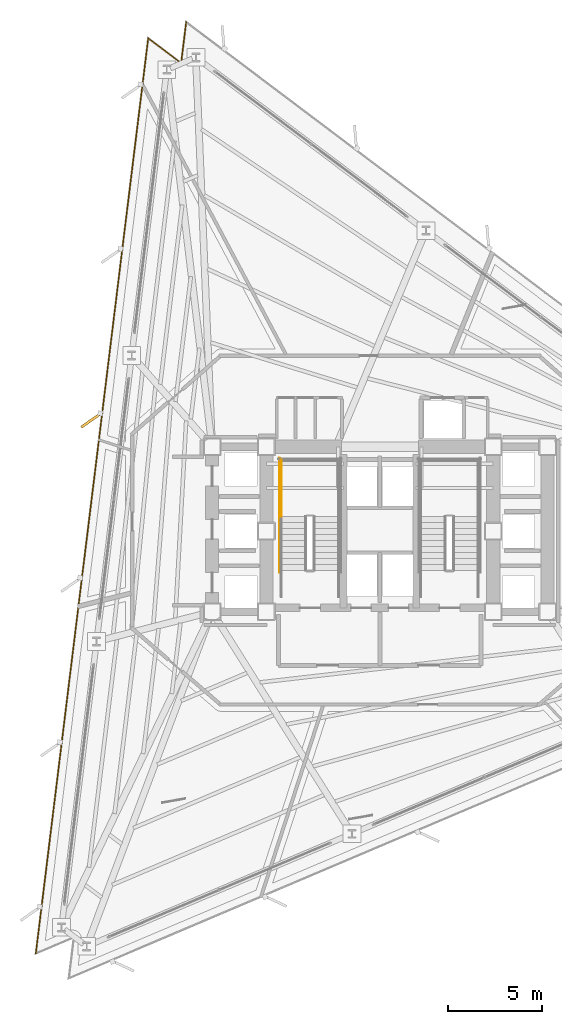
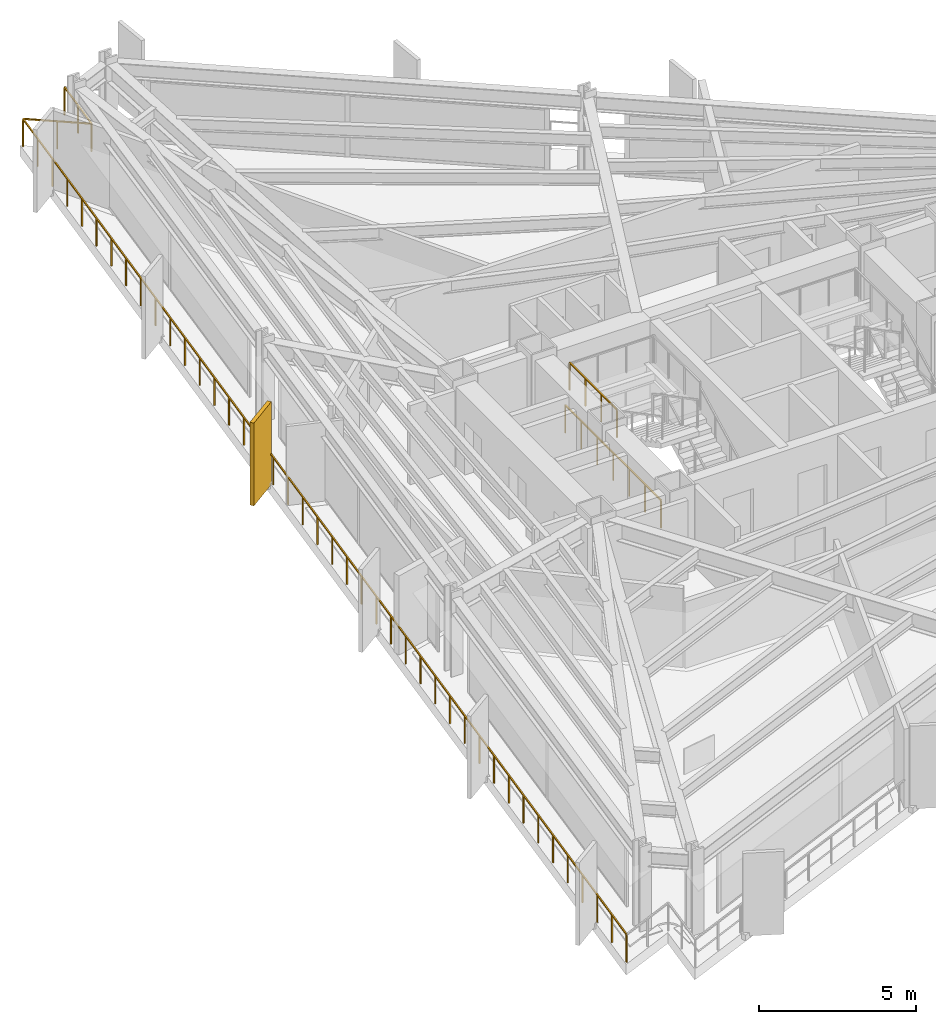
# One storey, part 11 of 13: 3 railings, 1 shading device.
"""IFC4 building model written with IfcOpenShell, lengths in metres."""

from ifc_helpers import new_model, si_unit, direction, frame, origin, origin_2d, place, context, subcontext, project, spatial, rectangle, extrude, material, layer, layer_set, type_object, element, save


model = new_model("IFC4")

# Units and contexts
model_context = context("Model", 3, precision=1e-05, world=origin(), true_north=direction((0.0, 1.0)))
body_context = subcontext(model_context, "Body", "Model", "MODEL_VIEW")
ifc_project = project(units=[si_unit("LENGTHUNIT", "METRE"), si_unit("AREAUNIT", "SQUARE_METRE"), si_unit("VOLUMEUNIT", "CUBIC_METRE"), si_unit("PLANEANGLEUNIT", "RADIAN"), si_unit("MASSUNIT", "GRAM", prefix="KILO")], contexts=[model_context])

# Site, building, storey
site_placement = place(None, origin())
site = spatial("IfcSite", under=ifc_project, at=site_placement, CompositionType="ELEMENT")
building_placement = place(site_placement, origin())
building = spatial("IfcBuilding", under=site, at=building_placement, Name="Rocaltana Carrier Exchange", CompositionType="ELEMENT")
storey_placement = place(building_placement, frame((0.0, 0.0, 49.60009765625)))
storey = spatial("IfcBuildingStorey", under=building, at=storey_placement, Name="L15", CompositionType="ELEMENT", Elevation=49.60009765625)

# Railings
ifc_material_1 = material(Name="Powder-Coated Aluminium 6063-T6", Category="aluminium")
ifc_layer_1 = layer(ifc_material_1, 0.048095703125)
ifc_layer_set_1 = layer_set([ifc_layer_1], Name="Powder-Coated Aluminium 6063-T6")
railing_type_1 = type_object("IfcRailingType", Name="Stair Well Guardrail 1100", PredefinedType="GUARDRAIL", material=ifc_layer_set_1)
railing_1_placement = place(storey_placement, frame((-5.25, 0.780029296875, 1.679931640625)))
element("IfcRailing", 1, at=railing_1_placement, inside=storey, type_object=railing_type_1, Name="L15 ST-1 stair guard 4", PredefinedType="GUARDRAIL", context=body_context, shape_type="SweptSolid", body=[
    extrude(rectangle(XDim=0.048095703125, YDim=0.048095703125, at=origin_2d()), frame((0.0, 0.0, 1.076171875), z_axis=(0.0, 1.0, 0.0), x_axis=(-1.0, 0.0, 0.0)), (0.0, 0.0, 1.0), 3.02001953125),
    extrude(rectangle(XDim=0.0419921875, YDim=0.0419921875, at=origin_2d()), origin(), (0.0, 0.0, 1.0), 1.052001953125),
    extrude(rectangle(XDim=0.0419921875, YDim=0.0419921875, at=origin_2d()), frame((0.0, 1.006591796875, 0.0)), (0.0, 0.0, 1.0), 1.052001953125),
    extrude(rectangle(XDim=0.0419921875, YDim=0.0419921875, at=origin_2d()), frame((0.0, 2.013427734375, 0.0)), (0.0, 0.0, 1.0), 1.052001953125),
    extrude(rectangle(XDim=0.0419921875, YDim=0.0419921875, at=origin_2d()), frame((0.0, 3.02001953125, 0.0)), (0.0, 0.0, 1.0), 1.052001953125),
])
railing_2_placement = place(storey_placement, frame((-5.35009765625, -2.199951171875, 0.0)))
element("IfcRailing", 2, at=railing_2_placement, inside=storey, type_object=railing_type_1, Name="L15 ST-1 stair guard 11", PredefinedType="GUARDRAIL", context=body_context, shape_type="SweptSolid", body=[
    extrude(rectangle(XDim=0.048095703125, YDim=0.048095703125, at=origin_2d()), frame((0.0, 0.0, 1.076171875), z_axis=(0.0, 1.0, 0.0), x_axis=(-1.0, 0.0, 0.0)), (0.0, 0.0, 1.0), 6.099853515625),
    extrude(rectangle(XDim=0.0419921875, YDim=0.0419921875, at=origin_2d()), origin(), (0.0, 0.0, 1.0), 1.052001953125),
    extrude(rectangle(XDim=0.0419921875, YDim=0.0419921875, at=origin_2d()), frame((0.0, 1.0166015625, 0.0)), (0.0, 0.0, 1.0), 1.052001953125),
    extrude(rectangle(XDim=0.0419921875, YDim=0.0419921875, at=origin_2d()), frame((0.0, 2.033203125, 0.0)), (0.0, 0.0, 1.0), 1.052001953125),
    extrude(rectangle(XDim=0.0419921875, YDim=0.0419921875, at=origin_2d()), frame((0.0, 3.0498046875, 0.0)), (0.0, 0.0, 1.0), 1.052001953125),
    extrude(rectangle(XDim=0.0419921875, YDim=0.0419921875, at=origin_2d()), frame((0.0, 4.066650390625, 0.0)), (0.0, 0.0, 1.0), 1.052001953125),
    extrude(rectangle(XDim=0.0419921875, YDim=0.0419921875, at=origin_2d()), frame((0.0, 5.083251953125, 0.0)), (0.0, 0.0, 1.0), 1.052001953125),
    extrude(rectangle(XDim=0.0419921875, YDim=0.0419921875, at=origin_2d()), frame((0.0, 6.099853515625, 0.0)), (0.0, 0.0, 1.0), 1.052001953125),
])

# Shading device
ifc_material_2 = material(Name="Honed Bogota Sandstone & Concrete C45/55", Category="masonry")
ifc_layer_2 = layer(ifc_material_2, 0.139892578125)
ifc_layer_set_2 = layer_set([ifc_layer_2], Name="Honed Bogota Sandstone & Concrete C45/55")
shading_device_type = type_object("IfcShadingDeviceType", Name="Vertical Sandstone Shading Fin 1320x140", PredefinedType="USERDEFINED", material=ifc_layer_set_2)
shading_device_placement = place(storey_placement, frame((-15.38427734375, 5.92431640625, -0.1201171875), z_axis=(0.0, 0.0, 1.0), x_axis=(-0.819152044289, -0.573576436351, 0.0)))
element("IfcShadingDevice", 3, at=shading_device_placement, inside=storey, type_object=shading_device_type, Name="L15 Sandstone Vertical Fin F2-03", ObjectType="FIN", PredefinedType="USERDEFINED", context=body_context, shape_type="SweptSolid", body=[
    extrude(rectangle(XDim=1.320068359375, YDim=0.139892578125, at=origin_2d()), origin(), (0.0, 0.0, 1.0), 3.218017578125),
])

# Railing
ifc_material_3 = material(Name="Powder-Coated Aluminium 6063-T6", Category="aluminium")
ifc_layer_3 = layer(ifc_material_3, 0.06005859375)
ifc_layer_set_3 = layer_set([ifc_layer_3], Name="Powder-Coated Aluminium 6063-T6")
railing_type_2 = type_object("IfcRailingType", Name="Wind-Floor & Terrace Perimeter Guardrail 1100", PredefinedType="GUARDRAIL", material=ifc_layer_set_3)
railing_3_placement = place(storey_placement, frame((-18.352783203125, -22.52734375, 0.0)))
element("IfcRailing", 4, at=railing_3_placement, inside=storey, type_object=railing_type_2, Name="L15 Perimeter Balcony Guardrail 2", PredefinedType="GUARDRAIL", context=body_context, shape_type="SweptSolid", body=[
    extrude(rectangle(XDim=0.048095703125, YDim=0.048095703125, at=origin_2d()), frame((0.0, 0.0, 1.076171875), z_axis=(0.12186659782, 0.992546488753, 0.0), x_axis=(-0.992546488753, 0.12186659782, 0.0)), (0.0, 0.0, 1.0), 49.192138671875),
    extrude(rectangle(XDim=0.048095703125, YDim=0.048095703125, at=origin_2d()), frame((5.994873046875, 48.825439453125, 1.076171875), z_axis=(0.798653030423, -0.601791772125, 0.0), x_axis=(0.601791772125, 0.798653030423, 0.0)), (0.0, 0.0, 1.0), 2.199951171875),
    extrude(rectangle(XDim=0.048095703125, YDim=0.048095703125, at=origin_2d()), frame((7.751953125, 47.50146484375, 1.076171875), z_axis=(0.121849105842, 0.992548636292, 0.0), x_axis=(-0.992548636292, 0.121849105842, 0.0)), (0.0, 0.0, 1.0), 2.199951171875),
    extrude(rectangle(XDim=0.0419921875, YDim=0.0419921875, at=origin_2d()), origin(), (0.0, 0.0, 1.0), 1.052001953125),
    extrude(rectangle(XDim=0.0419921875, YDim=0.0419921875, at=origin_2d()), frame((0.146240234375, 1.19091796875, 0.0)), (0.0, 0.0, 1.0), 1.052001953125),
    extrude(rectangle(XDim=0.0419921875, YDim=0.0419921875, at=origin_2d()), frame((0.29248046875, 2.3818359375, 0.0)), (0.0, 0.0, 1.0), 1.052001953125),
    extrude(rectangle(XDim=0.0419921875, YDim=0.0419921875, at=origin_2d()), frame((0.438720703125, 3.572509765625, 0.0)), (0.0, 0.0, 1.0), 1.052001953125),
    extrude(rectangle(XDim=0.0419921875, YDim=0.0419921875, at=origin_2d()), frame((0.5849609375, 4.763427734375, 0.0)), (0.0, 0.0, 1.0), 1.052001953125),
    extrude(rectangle(XDim=0.0419921875, YDim=0.0419921875, at=origin_2d()), frame((0.731201171875, 5.954345703125, 0.0)), (0.0, 0.0, 1.0), 1.052001953125),
    extrude(rectangle(XDim=0.0419921875, YDim=0.0419921875, at=origin_2d()), frame((0.877197265625, 7.145263671875, 0.0)), (0.0, 0.0, 1.0), 1.052001953125),
    extrude(rectangle(XDim=0.0419921875, YDim=0.0419921875, at=origin_2d()), frame((1.0234375, 8.3359375, 0.0)), (0.0, 0.0, 1.0), 1.052001953125),
    extrude(rectangle(XDim=0.0419921875, YDim=0.0419921875, at=origin_2d()), frame((1.169677734375, 9.52685546875, 0.0)), (0.0, 0.0, 1.0), 1.052001953125),
    extrude(rectangle(XDim=0.0419921875, YDim=0.0419921875, at=origin_2d()), frame((1.31591796875, 10.7177734375, 0.0)), (0.0, 0.0, 1.0), 1.052001953125),
    extrude(rectangle(XDim=0.0419921875, YDim=0.0419921875, at=origin_2d()), frame((1.462158203125, 11.90869140625, 0.0)), (0.0, 0.0, 1.0), 1.052001953125),
    extrude(rectangle(XDim=0.0419921875, YDim=0.0419921875, at=origin_2d()), frame((1.6083984375, 13.099609375, 0.0)), (0.0, 0.0, 1.0), 1.052001953125),
    extrude(rectangle(XDim=0.0419921875, YDim=0.0419921875, at=origin_2d()), frame((1.754638671875, 14.290283203125, 0.0)), (0.0, 0.0, 1.0), 1.052001953125),
    extrude(rectangle(XDim=0.0419921875, YDim=0.0419921875, at=origin_2d()), frame((1.90087890625, 15.481201171875, 0.0)), (0.0, 0.0, 1.0), 1.052001953125),
    extrude(rectangle(XDim=0.0419921875, YDim=0.0419921875, at=origin_2d()), frame((2.047119140625, 16.672119140625, 0.0)), (0.0, 0.0, 1.0), 1.052001953125),
    extrude(rectangle(XDim=0.0419921875, YDim=0.0419921875, at=origin_2d()), frame((2.193359375, 17.863037109375, 0.0)), (0.0, 0.0, 1.0), 1.052001953125),
    extrude(rectangle(XDim=0.0419921875, YDim=0.0419921875, at=origin_2d()), frame((2.33935546875, 19.0537109375, 0.0)), (0.0, 0.0, 1.0), 1.052001953125),
    extrude(rectangle(XDim=0.0419921875, YDim=0.0419921875, at=origin_2d()), frame((2.485595703125, 20.24462890625, 0.0)), (0.0, 0.0, 1.0), 1.052001953125),
    extrude(rectangle(XDim=0.0419921875, YDim=0.0419921875, at=origin_2d()), frame((2.6318359375, 21.435546875, 0.0)), (0.0, 0.0, 1.0), 1.052001953125),
    extrude(rectangle(XDim=0.0419921875, YDim=0.0419921875, at=origin_2d()), frame((2.778076171875, 22.62646484375, 0.0)), (0.0, 0.0, 1.0), 1.052001953125),
    extrude(rectangle(XDim=0.0419921875, YDim=0.0419921875, at=origin_2d()), frame((2.92431640625, 23.8173828125, 0.0)), (0.0, 0.0, 1.0), 1.052001953125),
    extrude(rectangle(XDim=0.0419921875, YDim=0.0419921875, at=origin_2d()), frame((3.070556640625, 25.008056640625, 0.0)), (0.0, 0.0, 1.0), 1.052001953125),
    extrude(rectangle(XDim=0.0419921875, YDim=0.0419921875, at=origin_2d()), frame((3.216796875, 26.198974609375, 0.0)), (0.0, 0.0, 1.0), 1.052001953125),
    extrude(rectangle(XDim=0.0419921875, YDim=0.0419921875, at=origin_2d()), frame((3.363037109375, 27.389892578125, 0.0)), (0.0, 0.0, 1.0), 1.052001953125),
    extrude(rectangle(XDim=0.0419921875, YDim=0.0419921875, at=origin_2d()), frame((3.50927734375, 28.580810546875, 0.0)), (0.0, 0.0, 1.0), 1.052001953125),
    extrude(rectangle(XDim=0.0419921875, YDim=0.0419921875, at=origin_2d()), frame((3.655517578125, 29.771728515625, 0.0)), (0.0, 0.0, 1.0), 1.052001953125),
    extrude(rectangle(XDim=0.0419921875, YDim=0.0419921875, at=origin_2d()), frame((3.801513671875, 30.96240234375, 0.0)), (0.0, 0.0, 1.0), 1.052001953125),
    extrude(rectangle(XDim=0.0419921875, YDim=0.0419921875, at=origin_2d()), frame((3.94775390625, 32.1533203125, 0.0)), (0.0, 0.0, 1.0), 1.052001953125),
    extrude(rectangle(XDim=0.0419921875, YDim=0.0419921875, at=origin_2d()), frame((4.093994140625, 33.34423828125, 0.0)), (0.0, 0.0, 1.0), 1.052001953125),
    extrude(rectangle(XDim=0.0419921875, YDim=0.0419921875, at=origin_2d()), frame((4.240234375, 34.53515625, 0.0)), (0.0, 0.0, 1.0), 1.052001953125),
    extrude(rectangle(XDim=0.0419921875, YDim=0.0419921875, at=origin_2d()), frame((4.386474609375, 35.725830078125, 0.0)), (0.0, 0.0, 1.0), 1.052001953125),
    extrude(rectangle(XDim=0.0419921875, YDim=0.0419921875, at=origin_2d()), frame((4.53271484375, 36.916748046875, 0.0)), (0.0, 0.0, 1.0), 1.052001953125),
    extrude(rectangle(XDim=0.0419921875, YDim=0.0419921875, at=origin_2d()), frame((4.678955078125, 38.107666015625, 0.0)), (0.0, 0.0, 1.0), 1.052001953125),
    extrude(rectangle(XDim=0.0419921875, YDim=0.0419921875, at=origin_2d()), frame((4.8251953125, 39.298583984375, 0.0)), (0.0, 0.0, 1.0), 1.052001953125),
    extrude(rectangle(XDim=0.0419921875, YDim=0.0419921875, at=origin_2d()), frame((4.971435546875, 40.489501953125, 0.0)), (0.0, 0.0, 1.0), 1.052001953125),
    extrude(rectangle(XDim=0.0419921875, YDim=0.0419921875, at=origin_2d()), frame((5.11767578125, 41.68017578125, 0.0)), (0.0, 0.0, 1.0), 1.052001953125),
    extrude(rectangle(XDim=0.0419921875, YDim=0.0419921875, at=origin_2d()), frame((5.263671875, 42.87109375, 0.0)), (0.0, 0.0, 1.0), 1.052001953125),
    extrude(rectangle(XDim=0.0419921875, YDim=0.0419921875, at=origin_2d()), frame((5.409912109375, 44.06201171875, 0.0)), (0.0, 0.0, 1.0), 1.052001953125),
    extrude(rectangle(XDim=0.0419921875, YDim=0.0419921875, at=origin_2d()), frame((5.55615234375, 45.2529296875, 0.0)), (0.0, 0.0, 1.0), 1.052001953125),
    extrude(rectangle(XDim=0.0419921875, YDim=0.0419921875, at=origin_2d()), frame((5.702392578125, 46.443603515625, 0.0)), (0.0, 0.0, 1.0), 1.052001953125),
    extrude(rectangle(XDim=0.0419921875, YDim=0.0419921875, at=origin_2d()), frame((5.8486328125, 47.634521484375, 0.0)), (0.0, 0.0, 1.0), 1.052001953125),
    extrude(rectangle(XDim=0.0419921875, YDim=0.0419921875, at=origin_2d()), frame((5.994873046875, 48.825439453125, 0.0)), (0.0, 0.0, 1.0), 1.052001953125),
    extrude(rectangle(XDim=0.0419921875, YDim=0.0419921875, at=origin_2d()), frame((6.87353515625, 48.16357421875, 0.0)), (0.0, 0.0, 1.0), 1.052001953125),
    extrude(rectangle(XDim=0.0419921875, YDim=0.0419921875, at=origin_2d()), frame((7.751953125, 47.50146484375, 0.0)), (0.0, 0.0, 1.0), 1.052001953125),
    extrude(rectangle(XDim=0.0419921875, YDim=0.0419921875, at=origin_2d()), frame((7.885986328125, 48.59326171875, 0.0)), (0.0, 0.0, 1.0), 1.052001953125),
    extrude(rectangle(XDim=0.0419921875, YDim=0.0419921875, at=origin_2d()), frame((8.02001953125, 49.68505859375, 0.0)), (0.0, 0.0, 1.0), 1.052001953125),
])

save(model, "model.ifc")
